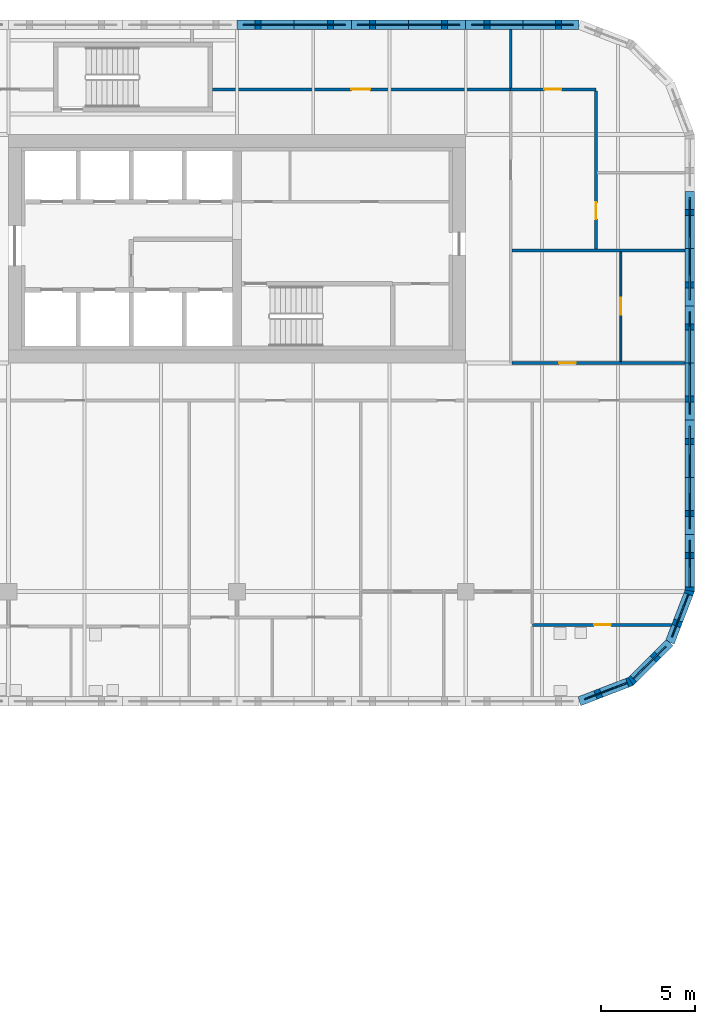
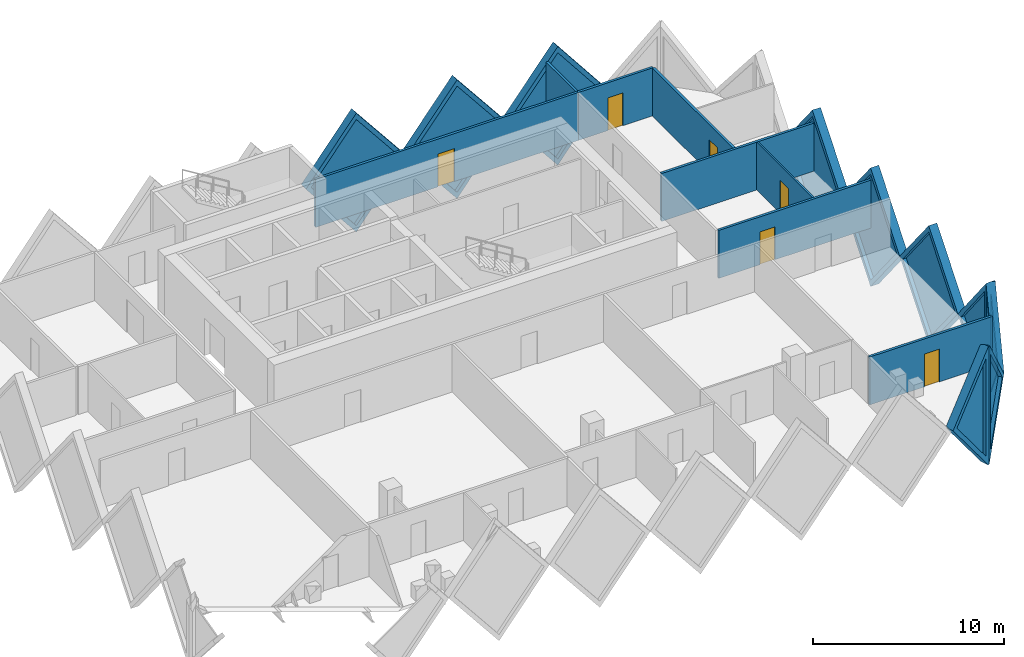
# One storey, part 15 of 20: 18 walls, 10 plates, 6 doors, 16 openings.
"""IFC4 building model written with IfcOpenShell, lengths in metres."""

from ifc_helpers import new_model, si_unit, direction, frame, frame_2d, origin, place, context, subcontext, project, spatial, polyline, rectangle, outline, extrude, faceted_brep, source, transform, mapped, material, layer, layer_set, type_object, element, fill, save


model = new_model("IFC4")

# Units and contexts
model_context = context("Model", 3, precision=1e-05, world=origin(), true_north=direction((0.0, 1.0)))
body_context = subcontext(model_context, "Body", "Model", "MODEL_VIEW")
ifc_project = project(units=[si_unit("LENGTHUNIT", "METRE"), si_unit("AREAUNIT", "SQUARE_METRE"), si_unit("VOLUMEUNIT", "CUBIC_METRE"), si_unit("PLANEANGLEUNIT", "RADIAN"), si_unit("MASSUNIT", "GRAM", prefix="KILO")], contexts=[model_context])

# Site, building, storey
site_placement = place(None, origin())
site = spatial("IfcSite", under=ifc_project, at=site_placement, CompositionType="ELEMENT")
building_placement = place(site_placement, origin())
building = spatial("IfcBuilding", under=site, at=building_placement, Name="Tessera Gate Towers", CompositionType="ELEMENT")
storey_placement = place(building_placement, frame((0.0, 0.0, 52.39990234375)))
storey = spatial("IfcBuildingStorey", under=building, at=storey_placement, Name="L12", CompositionType="ELEMENT", Elevation=52.39990234375)

# Wall, opening, door
ifc_material_1 = material(Name="Gypsum board on steel studs, mineral wool", Category="steel")
ifc_layer_1 = layer(ifc_material_1, 0.14990234375)
ifc_layer_set_1 = layer_set([ifc_layer_1], Name="CORRIDOR WALL 150")
wall_type_1 = type_object("IfcWallType", Name="CORRIDOR WALL 150", PredefinedType="PARTITIONING", material=ifc_layer_set_1)
wall_1_placement = place(storey_placement, frame((124.47607421875, 36.60009765625, 0.0), z_axis=(0.0, 0.0, 1.0), x_axis=(1.0, 0.0, 0.0)))
wall_1 = element("IfcWall", 1, at=wall_1_placement, inside=storey, type_object=wall_type_1, Name="T2-L12-PW-028", PredefinedType="PARTITIONING", context=body_context, shape_type="SweptSolid", body=[
    extrude(rectangle(XDim=9.223876953125, YDim=0.14990234375, at=frame_2d((4.61181640625, 0.0))), origin(), (0.0, 0.0, 1.0), 3.067138671875),
])
shared_shape_1 = source(origin(), body_context, "Body", "SweptSolid", [
    extrude(rectangle(XDim=0.89990234375, YDim=2.10009765625, at=frame_2d((0.449951171875, 1.050048828125))), frame((0.0, 0.0849609375, 0.0), z_axis=(0.0, -1.0, 0.0), x_axis=(1.0, 0.0, 0.0)), (0.0, 0.0, 1.0), 0.169921875),
])
opening_1_placement = place(wall_1_placement, frame((2.5, 0.0, 0.0)))
opening_1 = element("IfcOpeningElement", 2, at=opening_1_placement, cuts=wall_1, Name="Opening D890FD60-B05-03", PredefinedType="OPENING", context=body_context, shape_type="MappedRepresentation", body=[
    mapped(shared_shape_1, transform((0.0, 0.0, 0.0), scale=1.0)),
])
ifc_material_2 = material(Name="Timber door leaf in steel frame", Category="steel")
door_type_1 = type_object("IfcDoorType", Name="CORRIDOR DOOR 900 FD60", OperationType="NOTDEFINED", PredefinedType="DOOR", material=ifc_material_2)
shared_shape_2 = source(origin(), body_context, "Body", "SweptSolid", [
    extrude(rectangle(XDim=0.89990234375, YDim=2.10009765625, at=frame_2d((0.449951171875, 1.050048828125))), frame((0.0, 0.02490234375, 0.0), z_axis=(0.0, -1.0, 0.0), x_axis=(1.0, 0.0, 0.0)), (0.0, 0.0, 1.0), 0.050048828125),
])
door_1_placement = place(opening_1_placement, origin())
door_1 = element("IfcDoor", 3, at=door_1_placement, inside=storey, type_object=door_type_1, Name="T2-L12-PD-023", OperationType="SINGLE_SWING_LEFT", OverallHeight=2.10009765625, OverallWidth=0.89990234375, PredefinedType="DOOR", context=body_context, shape_type="MappedRepresentation", body=[
    mapped(shared_shape_2, transform((0.0, 0.0, 0.0), scale=1.0)),
])
fill(opening_1, door_1)

wall_2_placement = place(storey_placement, frame((108.5, 51.199951171875, 0.0), z_axis=(0.0, 0.0, 1.0), x_axis=(1.0, 0.0, 0.0)))
wall_2 = element("IfcWall", 4, at=wall_2_placement, inside=storey, type_object=wall_type_1, Name="T2-L12-PW-040", PredefinedType="PARTITIONING", context=body_context, shape_type="SweptSolid", body=[
    extrude(rectangle(XDim=15.89990234375, YDim=0.14990234375, at=frame_2d((7.949951171875, 0.0))), origin(), (0.0, 0.0, 1.0), 3.067138671875),
])
shared_shape_3 = source(origin(), body_context, "Body", "SweptSolid", [
    extrude(rectangle(XDim=1.0, YDim=2.10009765625, at=frame_2d((0.5, 1.050048828125))), frame((0.0, 0.0849609375, 0.0), z_axis=(0.0, -1.0, 0.0), x_axis=(1.0, 0.0, 0.0)), (0.0, 0.0, 1.0), 0.169921875),
])
opening_2_placement = place(wall_2_placement, frame((7.39990234375, 0.0, 0.0)))
opening_2 = element("IfcOpeningElement", 5, at=opening_2_placement, cuts=wall_2, Name="Opening D2100FD60-B05-07", PredefinedType="OPENING", context=body_context, shape_type="MappedRepresentation", body=[
    mapped(shared_shape_3, transform((0.0, 0.0, 0.0), scale=1.0)),
])
ifc_material_3 = material(Name="Timber door leaf in steel frame", Category="steel")
door_type_2 = type_object("IfcDoorType", Name="TENANCY ENTRANCE DOOR 1000 FD60", OperationType="NOTDEFINED", PredefinedType="DOOR", material=ifc_material_3)
shared_shape_4 = source(origin(), body_context, "Body", "SweptSolid", [
    extrude(rectangle(XDim=1.0, YDim=2.10009765625, at=frame_2d((0.5, 1.050048828125))), frame((0.0, 0.02490234375, 0.0), z_axis=(0.0, -1.0, 0.0), x_axis=(1.0, 0.0, 0.0)), (0.0, 0.0, 1.0), 0.050048828125),
])
door_2_placement = place(opening_2_placement, origin())
door_2 = element("IfcDoor", 6, at=door_2_placement, inside=storey, type_object=door_type_2, Name="T2-L12-PD-025", OperationType="SINGLE_SWING_LEFT", OverallHeight=2.10009765625, OverallWidth=1.0, PredefinedType="DOOR", context=body_context, shape_type="MappedRepresentation", body=[
    mapped(shared_shape_4, transform((0.0, 0.0, 0.0), scale=1.0)),
])
fill(opening_2, door_2)

ifc_material_4 = material(Name="Gypsum board on steel studs", Category="steel")
ifc_layer_2 = layer(ifc_material_4, 0.10009765625)
ifc_layer_set_2 = layer_set([ifc_layer_2], Name="PARTITION 100")
wall_type_2 = type_object("IfcWallType", Name="PARTITION 100", PredefinedType="PARTITIONING", material=ifc_layer_set_2)
wall_3_placement = place(storey_placement, frame((130.280029296875, 42.52392578125, 0.0), z_axis=(0.0, 0.0, 1.0), x_axis=(0.0, -1.0, 0.0)))
wall_3 = element("IfcWall", 7, at=wall_3_placement, inside=storey, type_object=wall_type_2, Name="T2-L12-PW-030", PredefinedType="PARTITIONING", context=body_context, shape_type="SweptSolid", body=[
    extrude(rectangle(XDim=5.847900390625, YDim=0.10009765625, at=frame_2d((2.923828125, 0.0))), origin(), (0.0, 0.0, 1.0), 3.067138671875),
])
shared_shape_5 = source(origin(), body_context, "Body", "SweptSolid", [
    extrude(rectangle(XDim=0.89990234375, YDim=2.10009765625, at=frame_2d((0.449951171875, 1.050048828125))), frame((0.0, 0.06005859375, 0.0), z_axis=(0.0, -1.0, 0.0), x_axis=(1.0, 0.0, 0.0)), (0.0, 0.0, 1.0), 0.1201171875),
])
opening_3_placement = place(wall_3_placement, frame((2.447998046875, 0.0, 0.0)))
opening_3 = element("IfcOpeningElement", 8, at=opening_3_placement, cuts=wall_3, Name="Opening D190-B05-07", PredefinedType="OPENING", context=body_context, shape_type="MappedRepresentation", body=[
    mapped(shared_shape_5, transform((0.0, 0.0, 0.0), scale=1.0)),
])
ifc_material_5 = material(Name="Timber door leaf in steel frame", Category="steel")
door_type_3 = type_object("IfcDoorType", Name="INTERNAL DOOR 900 NOT RATED", OperationType="NOTDEFINED", PredefinedType="DOOR", material=ifc_material_5)
door_3_placement = place(opening_3_placement, origin())
door_3 = element("IfcDoor", 9, at=door_3_placement, inside=storey, type_object=door_type_3, Name="T2-L12-PD-011", OperationType="SINGLE_SWING_RIGHT", OverallHeight=2.10009765625, OverallWidth=0.89990234375, PredefinedType="DOOR", context=body_context, shape_type="MappedRepresentation", body=[
    mapped(shared_shape_2, transform((0.0, 0.0, 0.0), scale=1.0)),
])
fill(opening_3, door_3)

ifc_material_6 = material(Name="Gypsum board on steel studs, mineral wool", Category="steel")
ifc_layer_3 = layer(ifc_material_6, 0.14990234375)
ifc_layer_set_3 = layer_set([ifc_layer_3], Name="TENANCY WALL 150")
wall_type_3 = type_object("IfcWallType", Name="TENANCY WALL 150", PredefinedType="PARTITIONING", material=ifc_layer_set_3)
wall_4_placement = place(storey_placement, frame((132.9794921875, 22.625, 0.0), z_axis=(0.0, 0.0, 1.0), x_axis=(-1.0, 0.0, 0.0)))
wall_4 = element("IfcWall", 10, at=wall_4_placement, inside=storey, type_object=wall_type_3, Name="T2-L12-PW-012", PredefinedType="PARTITIONING", context=body_context, shape_type="SweptSolid", body=[
    extrude(rectangle(XDim=7.429443359375, YDim=0.14990234375, at=frame_2d((3.71484375, 0.0))), origin(), (0.0, 0.0, 1.0), 3.067138671875),
])
opening_4_placement = place(wall_4_placement, frame((3.2294921875, 0.0, 0.0)))
opening_4 = element("IfcOpeningElement", 11, at=opening_4_placement, cuts=wall_4, Name="Opening D190-B05-09", PredefinedType="OPENING", context=body_context, shape_type="MappedRepresentation", body=[
    mapped(shared_shape_1, transform((0.0, 0.0, 0.0), scale=1.0)),
])
door_4_placement = place(opening_4_placement, origin())
door_4 = element("IfcDoor", 12, at=door_4_placement, inside=storey, type_object=door_type_3, Name="T2-L12-PD-013", OperationType="SINGLE_SWING_RIGHT", OverallHeight=2.10009765625, OverallWidth=0.89990234375, PredefinedType="DOOR", context=body_context, shape_type="MappedRepresentation", body=[
    mapped(shared_shape_2, transform((0.0, 0.0, 0.0), scale=1.0)),
])
fill(opening_4, door_4)

# Wall
wall_5_placement = place(storey_placement, frame((124.47607421875, 42.60009765625, 0.0), z_axis=(0.0, 0.0, 1.0), x_axis=(1.0, 0.0, 0.0)))
element("IfcWall", 13, at=wall_5_placement, inside=storey, type_object=wall_type_3, Name="T2-L12-PW-034", PredefinedType="PARTITIONING", context=body_context, shape_type="SweptSolid", body=[
    extrude(rectangle(XDim=9.223876953125, YDim=0.14990234375, at=frame_2d((4.61181640625, 0.0))), origin(), (0.0, 0.0, 1.0), 3.067138671875),
])

# Wall, opening, door
wall_6_placement = place(storey_placement, frame((128.949951171875, 51.1240234375, 0.0), z_axis=(0.0, 0.0, 1.0), x_axis=(0.0, -1.0, 0.0)))
wall_6 = element("IfcWall", 14, at=wall_6_placement, inside=storey, type_object=wall_type_3, Name="T2-L12-PW-035", PredefinedType="PARTITIONING", context=body_context, shape_type="SweptSolid", body=[
    extrude(rectangle(XDim=8.447998046875, YDim=0.14990234375, at=frame_2d((4.22412109375, 0.0))), origin(), (0.0, 0.0, 1.0), 3.067138671875),
])
opening_5_placement = place(wall_6_placement, frame((5.947998046875, 0.0, 0.0)))
opening_5 = element("IfcOpeningElement", 15, at=opening_5_placement, cuts=wall_6, Name="Opening D190-B05-02", PredefinedType="OPENING", context=body_context, shape_type="MappedRepresentation", body=[
    mapped(shared_shape_1, transform((0.0, 0.0, 0.0), scale=1.0)),
])
door_5_placement = place(opening_5_placement, origin())
door_5 = element("IfcDoor", 16, at=door_5_placement, inside=storey, type_object=door_type_3, Name="T2-L12-PD-003", OperationType="SINGLE_SWING_RIGHT", OverallHeight=2.10009765625, OverallWidth=0.89990234375, PredefinedType="DOOR", context=body_context, shape_type="MappedRepresentation", body=[
    mapped(shared_shape_2, transform((0.0, 0.0, 0.0), scale=1.0)),
])
fill(opening_5, door_5)

wall_7_placement = place(storey_placement, frame((124.40087890625, 51.199951171875, 0.0), z_axis=(0.0, 0.0, 1.0), x_axis=(1.0, 0.0, 0.0)))
wall_7 = element("IfcWall", 17, at=wall_7_placement, inside=storey, type_object=wall_type_3, Name="T2-L12-PW-041", PredefinedType="PARTITIONING", context=body_context, shape_type="SweptSolid", body=[
    extrude(rectangle(XDim=4.549072265625, YDim=0.14990234375, at=frame_2d((2.2744140625, 0.0))), origin(), (0.0, 0.0, 1.0), 3.067138671875),
])
opening_6_placement = place(wall_7_placement, frame((1.800048828125, 0.0, 0.0)))
opening_6 = element("IfcOpeningElement", 18, at=opening_6_placement, cuts=wall_7, Name="Opening D190-B05-11", PredefinedType="OPENING", context=body_context, shape_type="MappedRepresentation", body=[
    mapped(shared_shape_1, transform((0.0, 0.0, 0.0), scale=1.0)),
])
door_6_placement = place(opening_6_placement, origin())
door_6 = element("IfcDoor", 19, at=door_6_placement, inside=storey, type_object=door_type_3, Name="T2-L12-PD-018", OperationType="SINGLE_SWING_LEFT", OverallHeight=2.10009765625, OverallWidth=0.89990234375, PredefinedType="DOOR", context=body_context, shape_type="MappedRepresentation", body=[
    mapped(shared_shape_2, transform((0.0, 0.0, 0.0), scale=1.0)),
])
fill(opening_6, door_6)

# Wall
wall_8_placement = place(storey_placement, frame((124.39990234375, 51.27587890625, 0.0), z_axis=(0.0, 0.0, 1.0), x_axis=(0.0, 1.0, 0.0)))
element("IfcWall", 20, at=wall_8_placement, inside=storey, type_object=wall_type_3, Name="T2-L12-PW-042", PredefinedType="PARTITIONING", context=body_context, shape_type="SweptSolid", body=[
    extrude(rectangle(XDim=3.1240234375, YDim=0.14990234375, at=frame_2d((1.56201171875, 0.0))), origin(), (0.0, 0.0, 1.0), 3.067138671875),
])

# Wall, opening, plate
ifc_material_7 = material(Name="Precast concrete C60/75 white", Category="concrete")
ifc_layer_4 = layer(ifc_material_7, 0.5)
ifc_layer_set_4 = layer_set([ifc_layer_4], Name="TS3 corner tessera")
wall_type_4 = type_object("IfcWallType", Name="TS3 corner tessera", PredefinedType="SOLIDWALL", material=ifc_layer_set_4)
shared_shape_6 = source(origin(), body_context, "Body", "Brep", [
    faceted_brep([(0.046630859375, -0.25, 0.0), (3.050048828125, -0.25, 3.7998046875), (0.046630859375, -0.25, 7.599853515625), (0.0, -0.25, 7.539794921875), (0.0, -0.25, 0.06005859375), (0.09326171875, 0.25, 7.541015625), (3.050048828125, 0.25, 3.7998046875), (0.09326171875, 0.25, 0.058837890625), (0.046630859375, 0.0, 0.0), (0.046630859375, 0.0, 7.599853515625)], [[[0, 1, 2, 3, 4]], [[5, 6, 7]], [[7, 6, 1, 0, 8]], [[6, 5, 9, 2, 1]], [[3, 2, 9]], [[8, 0, 4]], [[7, 8, 4, 3, 9, 5]]]),
])
wall_9_placement = place(storey_placement, frame((133.949951171875, 24.39990234375, -3.7998046875), z_axis=(0.0, 0.0, 1.0), x_axis=(0.0, 1.0, 0.0)))
wall_9 = element("IfcWall", 21, at=wall_9_placement, inside=storey, type_object=wall_type_4, Name="Precast corner tessera T2 TS3-0164", PredefinedType="SOLIDWALL", context=body_context, shape_type="MappedRepresentation", body=[
    mapped(shared_shape_6, transform((0.0, 0.0, 0.0), scale=1.0)),
])
shared_shape_7 = source(origin(), body_context, "Body", "SweptSolid", [
    extrude(outline(polyline([(0.24658203125, 0.656005859375), (2.7314453125, 3.7998046875), (0.24658203125, 6.943603515625), (0.24658203125, 0.656005859375)])), frame((0.0, 0.260009765625, 0.0), z_axis=(0.0, -1.0, 0.0), x_axis=(1.0, 0.0, 0.0)), (0.0, 0.0, 1.0), 0.52001953125),
])
opening_7_placement = place(wall_9_placement, origin())
opening_7 = element("IfcOpeningElement", 22, at=opening_7_placement, cuts=wall_9, Name="Opening T2-PL2-0247", PredefinedType="OPENING", context=body_context, shape_type="MappedRepresentation", body=[
    mapped(shared_shape_7, transform((0.0, 0.0, 0.0), scale=1.0)),
])
ifc_material_8 = material(Name="Low-e laminated glass", Category="glass")
ifc_layer_5 = layer(ifc_material_8, 0.06005859375)
ifc_layer_set_5 = layer_set([ifc_layer_5], Name="PL2 rhombic pane")
plate_type = type_object("IfcPlateType", Name="PL2 rhombic pane", PredefinedType="SHEET", material=ifc_layer_set_5)
shared_shape_8 = source(origin(), body_context, "Body", "SweptSolid", [
    extrude(outline(polyline([(0.24658203125, 0.656005859375), (2.7314453125, 3.7998046875), (0.24658203125, 6.943603515625), (0.24658203125, 0.656005859375)])), frame((0.0, 0.030029296875, 0.0), z_axis=(0.0, -1.0, 0.0), x_axis=(1.0, 0.0, 0.0)), (0.0, 0.0, 1.0), 0.06005859375),
])
plate_1_placement = place(opening_7_placement, origin())
plate_1 = element("IfcPlate", 23, at=plate_1_placement, inside=storey, type_object=plate_type, Name="Glass pane T2 PL2-0247", PredefinedType="SHEET", context=body_context, shape_type="MappedRepresentation", body=[
    mapped(shared_shape_8, transform((0.0, 0.0, 0.0), scale=1.0)),
])
fill(opening_7, plate_1)

ifc_material_9 = material(Name="Precast concrete C60/75 white", Category="concrete")
ifc_layer_6 = layer(ifc_material_9, 0.5)
ifc_layer_set_6 = layer_set([ifc_layer_6], Name="TS1 tessera")
wall_type_5 = type_object("IfcWallType", Name="TS1 tessera", PredefinedType="SOLIDWALL", material=ifc_layer_set_6)
shared_shape_9 = source(origin(), body_context, "Body", "Brep", [
    faceted_brep([(3.050048828125, -0.25, 0.0), (6.099853515625, -0.25, 3.799560546875), (6.099853515625, -0.25, 3.800048828125), (3.050048828125, -0.25, 7.599853515625), (0.0, -0.25, 3.7998046875), (0.0, 0.25, 3.7998046875), (3.050048828125, 0.25, 7.599853515625), (6.099853515625, 0.25, 3.800048828125), (6.099853515625, 0.25, 3.799560546875), (3.050048828125, 0.25, 0.0)], [[[0, 1, 2, 3, 4]], [[5, 6, 7, 8, 9]], [[9, 8, 1, 0]], [[7, 6, 3, 2]], [[6, 5, 4, 3]], [[5, 9, 0, 4]], [[1, 8, 7, 2]]]),
])
wall_10_placement = place(storey_placement, frame((133.949951171875, 33.550048828125, -3.7998046875), z_axis=(0.0, 0.0, 1.0), x_axis=(0.0, 1.0, 0.0)))
wall_10 = element("IfcWall", 24, at=wall_10_placement, inside=storey, type_object=wall_type_5, Name="Precast tessera T2 TS1-0133", PredefinedType="SOLIDWALL", context=body_context, shape_type="MappedRepresentation", body=[
    mapped(shared_shape_9, transform((0.0, 0.0, 0.0), scale=1.0)),
])
shared_shape_10 = source(origin(), body_context, "Body", "SweptSolid", [
    extrude(outline(polyline([(3.050048828125, 0.3994140625), (5.779541015625, 3.7998046875), (3.050048828125, 7.200439453125), (0.320556640625, 3.7998046875), (3.050048828125, 0.3994140625)])), frame((0.0, 0.260009765625, 0.0), z_axis=(0.0, -1.0, 0.0), x_axis=(1.0, 0.0, 0.0)), (0.0, 0.0, 1.0), 0.52001953125),
])
opening_8_placement = place(wall_10_placement, origin())
opening_8 = element("IfcOpeningElement", 25, at=opening_8_placement, cuts=wall_10, Name="Opening T2-PL2-0249", PredefinedType="OPENING", context=body_context, shape_type="MappedRepresentation", body=[
    mapped(shared_shape_10, transform((0.0, 0.0, 0.0), scale=1.0)),
])
shared_shape_11 = source(origin(), body_context, "Body", "SweptSolid", [
    extrude(outline(polyline([(3.050048828125, 0.3994140625), (5.779541015625, 3.7998046875), (3.050048828125, 7.200439453125), (0.320556640625, 3.7998046875), (3.050048828125, 0.3994140625)])), frame((0.0, 0.030029296875, 0.0), z_axis=(0.0, -1.0, 0.0), x_axis=(1.0, 0.0, 0.0)), (0.0, 0.0, 1.0), 0.06005859375),
])
plate_2_placement = place(opening_8_placement, origin())
plate_2 = element("IfcPlate", 26, at=plate_2_placement, inside=storey, type_object=plate_type, Name="Glass pane T2 PL2-0249", PredefinedType="SHEET", context=body_context, shape_type="MappedRepresentation", body=[
    mapped(shared_shape_11, transform((0.0, 0.0, 0.0), scale=1.0)),
])
fill(opening_8, plate_2)

wall_11_placement = place(storey_placement, frame((115.89990234375, 54.64990234375, -3.7998046875), z_axis=(0.0, 0.0, 1.0), x_axis=(-1.0, 0.0, 0.0)))
wall_11 = element("IfcWall", 27, at=wall_11_placement, inside=storey, type_object=wall_type_5, Name="Precast tessera T2 TS1-0137", PredefinedType="SOLIDWALL", context=body_context, shape_type="MappedRepresentation", body=[
    mapped(shared_shape_9, transform((0.0, 0.0, 0.0), scale=1.0)),
])
opening_9_placement = place(wall_11_placement, origin())
opening_9 = element("IfcOpeningElement", 28, at=opening_9_placement, cuts=wall_11, Name="Opening T2-PL2-0257", PredefinedType="OPENING", context=body_context, shape_type="MappedRepresentation", body=[
    mapped(shared_shape_10, transform((0.0, 0.0, 0.0), scale=1.0)),
])
plate_3_placement = place(opening_9_placement, origin())
plate_3 = element("IfcPlate", 29, at=plate_3_placement, inside=storey, type_object=plate_type, Name="Glass pane T2 PL2-0257", PredefinedType="SHEET", context=body_context, shape_type="MappedRepresentation", body=[
    mapped(shared_shape_11, transform((0.0, 0.0, 0.0), scale=1.0)),
])
fill(opening_9, plate_3)

shared_shape_12 = source(origin(), body_context, "Body", "SweptSolid", [
    extrude(outline(polyline([(3.050048828125, 0.0), (6.10009765625, 3.7998046875), (3.050048828125, 7.599853515625), (0.0, 3.7998046875), (3.050048828125, 0.0)])), frame((0.0, 0.25, 0.0), z_axis=(0.0, -1.0, 0.0), x_axis=(1.0, 0.0, 0.0)), (0.0, 0.0, 1.0), 0.5),
])
wall_12_placement = place(storey_placement, frame((133.949951171875, 27.449951171875, -3.7998046875), z_axis=(0.0, 0.0, 1.0), x_axis=(0.0, 1.0, 0.0)))
wall_12 = element("IfcWall", 30, at=wall_12_placement, inside=storey, type_object=wall_type_5, Name="Precast tessera T2 TS1-0132", PredefinedType="SOLIDWALL", context=body_context, shape_type="MappedRepresentation", body=[
    mapped(shared_shape_12, transform((0.0, 0.0, 0.0), scale=1.0)),
])
opening_10_placement = place(wall_12_placement, origin())
opening_10 = element("IfcOpeningElement", 31, at=opening_10_placement, cuts=wall_12, Name="Opening T2-PL2-0248", PredefinedType="OPENING", context=body_context, shape_type="MappedRepresentation", body=[
    mapped(shared_shape_10, transform((0.0, 0.0, 0.0), scale=1.0)),
])
plate_4_placement = place(opening_10_placement, origin())
plate_4 = element("IfcPlate", 32, at=plate_4_placement, inside=storey, type_object=plate_type, Name="Glass pane T2 PL2-0248", PredefinedType="SHEET", context=body_context, shape_type="MappedRepresentation", body=[
    mapped(shared_shape_11, transform((0.0, 0.0, 0.0), scale=1.0)),
])
fill(opening_10, plate_4)

wall_13_placement = place(storey_placement, frame((133.949951171875, 39.64990234375, -3.7998046875), z_axis=(0.0, 0.0, 1.0), x_axis=(0.0, 1.0, 0.0)))
wall_13 = element("IfcWall", 33, at=wall_13_placement, inside=storey, type_object=wall_type_5, Name="Precast tessera T2 TS1-0134", PredefinedType="SOLIDWALL", context=body_context, shape_type="MappedRepresentation", body=[
    mapped(shared_shape_12, transform((0.0, 0.0, 0.0), scale=1.0)),
])
opening_11_placement = place(wall_13_placement, origin())
opening_11 = element("IfcOpeningElement", 34, at=opening_11_placement, cuts=wall_13, Name="Opening T2-PL2-0250", PredefinedType="OPENING", context=body_context, shape_type="MappedRepresentation", body=[
    mapped(shared_shape_10, transform((0.0, 0.0, 0.0), scale=1.0)),
])
plate_5_placement = place(opening_11_placement, origin())
plate_5 = element("IfcPlate", 35, at=plate_5_placement, inside=storey, type_object=plate_type, Name="Glass pane T2 PL2-0250", PredefinedType="SHEET", context=body_context, shape_type="MappedRepresentation", body=[
    mapped(shared_shape_11, transform((0.0, 0.0, 0.0), scale=1.0)),
])
fill(opening_11, plate_5)

wall_14_placement = place(storey_placement, frame((122.0, 54.64990234375, -3.7998046875), z_axis=(0.0, 0.0, 1.0), x_axis=(-1.0, 0.0, 0.0)))
wall_14 = element("IfcWall", 36, at=wall_14_placement, inside=storey, type_object=wall_type_5, Name="Precast tessera T2 TS1-0136", PredefinedType="SOLIDWALL", context=body_context, shape_type="MappedRepresentation", body=[
    mapped(shared_shape_12, transform((0.0, 0.0, 0.0), scale=1.0)),
])
opening_12_placement = place(wall_14_placement, origin())
opening_12 = element("IfcOpeningElement", 37, at=opening_12_placement, cuts=wall_14, Name="Opening T2-PL2-0256", PredefinedType="OPENING", context=body_context, shape_type="MappedRepresentation", body=[
    mapped(shared_shape_10, transform((0.0, 0.0, 0.0), scale=1.0)),
])
plate_6_placement = place(opening_12_placement, origin())
plate_6 = element("IfcPlate", 38, at=plate_6_placement, inside=storey, type_object=plate_type, Name="Glass pane T2 PL2-0256", PredefinedType="SHEET", context=body_context, shape_type="MappedRepresentation", body=[
    mapped(shared_shape_11, transform((0.0, 0.0, 0.0), scale=1.0)),
])
fill(opening_12, plate_6)

shared_shape_13 = source(origin(), body_context, "Body", "Brep", [
    faceted_brep([(3.00341796875, -0.25, 0.0), (6.053466796875, -0.25, 3.7998046875), (3.00341796875, -0.25, 7.599853515625), (0.0, -0.25, 3.7998046875), (0.046630859375, 0.25, 3.858642578125), (3.00341796875, 0.25, 7.599853515625), (6.053466796875, 0.25, 3.7998046875), (3.00341796875, 0.25, 0.0), (0.046630859375, 0.25, 3.740966796875), (0.0, 0.0, 3.7998046875)], [[[0, 1, 2, 3]], [[4, 5, 6, 7, 8]], [[7, 6, 1, 0]], [[6, 5, 2, 1]], [[5, 4, 9, 3, 2]], [[8, 7, 0, 3, 9]], [[8, 9, 4]]]),
])
wall_15_placement = place(storey_placement, frame((128.053466796875, 54.64990234375, -3.7998046875), z_axis=(0.0, 0.0, 1.0), x_axis=(-1.0, 0.0, 0.0)))
wall_15 = element("IfcWall", 39, at=wall_15_placement, inside=storey, type_object=wall_type_5, Name="Precast tessera T2 TS1-0135", PredefinedType="SOLIDWALL", context=body_context, shape_type="MappedRepresentation", body=[
    mapped(shared_shape_13, transform((0.0, 0.0, 0.0), scale=1.0)),
])
shared_shape_14 = source(origin(), body_context, "Body", "SweptSolid", [
    extrude(outline(polyline([(3.0048828125, 0.401123046875), (5.73291015625, 3.7998046875), (3.0048828125, 7.19873046875), (0.318603515625, 3.7998046875), (3.0048828125, 0.401123046875)])), frame((0.0, 0.260009765625, 0.0), z_axis=(0.0, -1.0, 0.0), x_axis=(1.0, 0.0, 0.0)), (0.0, 0.0, 1.0), 0.52001953125),
])
opening_13_placement = place(wall_15_placement, origin())
opening_13 = element("IfcOpeningElement", 40, at=opening_13_placement, cuts=wall_15, Name="Opening T2-PL2-0255", PredefinedType="OPENING", context=body_context, shape_type="MappedRepresentation", body=[
    mapped(shared_shape_14, transform((0.0, 0.0, 0.0), scale=1.0)),
])
shared_shape_15 = source(origin(), body_context, "Body", "SweptSolid", [
    extrude(outline(polyline([(3.0048828125, 0.401123046875), (5.73291015625, 3.7998046875), (3.0048828125, 7.19873046875), (0.318603515625, 3.7998046875), (3.0048828125, 0.401123046875)])), frame((0.0, 0.030029296875, 0.0), z_axis=(0.0, -1.0, 0.0), x_axis=(1.0, 0.0, 0.0)), (0.0, 0.0, 1.0), 0.06005859375),
])
plate_7_placement = place(opening_13_placement, origin())
plate_7 = element("IfcPlate", 41, at=plate_7_placement, inside=storey, type_object=plate_type, Name="Glass pane T2 PL2-0255", PredefinedType="SHEET", context=body_context, shape_type="MappedRepresentation", body=[
    mapped(shared_shape_15, transform((0.0, 0.0, 0.0), scale=1.0)),
])
fill(opening_13, plate_7)

shared_shape_16 = source(origin(), body_context, "Body", "Brep", [
    faceted_brep([(2.950439453125, -0.25, 0.0), (2.9970703125, -0.25, 0.05908203125), (2.9970703125, -0.25, 7.540771484375), (2.950439453125, -0.25, 7.599853515625), (0.0, -0.25, 3.7998046875), (0.052978515625, 0.25, 3.867919921875), (2.904052734375, 0.25, 7.5400390625), (2.904052734375, 0.25, 0.059814453125), (0.052978515625, 0.25, 3.731689453125), (2.950439453125, 0.00048828125, 0.0), (2.950439453125, 0.00048828125, 7.599853515625), (0.0, 0.0, 3.7998046875)], [[[0, 1, 2, 3, 4]], [[5, 6, 7, 8]], [[1, 0, 9]], [[10, 3, 2]], [[6, 5, 11, 4, 3, 10]], [[8, 7, 9, 0, 4, 11]], [[8, 11, 5]], [[1, 9, 7, 6, 10, 2]]]),
])
wall_16_placement = place(storey_placement, frame((132.88818359375, 21.69384765625, -3.7998046875), z_axis=(0.0, 0.0, 1.0), x_axis=(0.359901446078, 0.932990326376, 0.0)))
wall_16 = element("IfcWall", 42, at=wall_16_placement, inside=storey, type_object=wall_type_4, Name="Precast corner tessera T2 TS3-0163", PredefinedType="SOLIDWALL", context=body_context, shape_type="MappedRepresentation", body=[
    mapped(shared_shape_16, transform((0.0, 0.0, 0.0), scale=1.0)),
])
shared_shape_17 = source(origin(), body_context, "Body", "SweptSolid", [
    extrude(outline(polyline([(2.75048828125, 6.9345703125), (0.31640625, 3.7998046875), (2.75048828125, 0.6650390625), (2.75048828125, 6.9345703125)])), frame((0.0, 0.260009765625, 0.0), z_axis=(0.0, -1.0, 0.0), x_axis=(1.0, 0.0, 0.0)), (0.0, 0.0, 1.0), 0.52001953125),
])
opening_14_placement = place(wall_16_placement, origin())
opening_14 = element("IfcOpeningElement", 43, at=opening_14_placement, cuts=wall_16, Name="Opening T2-PL2-0246", PredefinedType="OPENING", context=body_context, shape_type="MappedRepresentation", body=[
    mapped(shared_shape_17, transform((0.0, 0.0, 0.0), scale=1.0)),
])
shared_shape_18 = source(origin(), body_context, "Body", "SweptSolid", [
    extrude(outline(polyline([(2.75048828125, 6.9345703125), (0.31640625, 3.7998046875), (2.75048828125, 0.6650390625), (2.75048828125, 6.9345703125)])), frame((0.0, 0.030029296875, 0.0), z_axis=(0.0, -1.0, 0.0), x_axis=(1.0, 0.0, 0.0)), (0.0, 0.0, 1.0), 0.06005859375),
])
plate_8_placement = place(opening_14_placement, origin())
plate_8 = element("IfcPlate", 44, at=plate_8_placement, inside=storey, type_object=plate_type, Name="Glass pane T2 PL2-0246", PredefinedType="SHEET", context=body_context, shape_type="MappedRepresentation", body=[
    mapped(shared_shape_18, transform((0.0, 0.0, 0.0), scale=1.0)),
])
fill(opening_14, plate_8)

shared_shape_19 = source(origin(), body_context, "Body", "Brep", [
    faceted_brep([(2.950439453125, -0.25, 0.0), (3.00341796875, -0.25, 0.068359375), (3.00341796875, -0.25, 7.531494140625), (2.950439453125, -0.25, 7.599853515625), (0.0, -0.25, 3.7998046875), (0.046630859375, 0.25, 3.85986328125), (2.897705078125, 0.25, 7.53173828125), (2.897705078125, 0.25, 0.068115234375), (0.046630859375, 0.25, 3.73974609375), (2.950439453125, 0.00048828125, 0.0), (2.950439453125, 0.00048828125, 7.599853515625), (0.0, 0.0, 3.7998046875)], [[[0, 1, 2, 3, 4]], [[5, 6, 7, 8]], [[1, 0, 9]], [[10, 3, 2]], [[6, 5, 11, 4, 3, 10]], [[8, 7, 9, 0, 4, 11]], [[8, 11, 5]], [[1, 9, 7, 6, 10, 2]]]),
])
wall_17_placement = place(storey_placement, frame((128.053466796875, 18.550048828125, -3.7998046875), z_axis=(0.0, 0.0, 1.0), x_axis=(0.933007896601, 0.359855894603, 0.0)))
wall_17 = element("IfcWall", 45, at=wall_17_placement, inside=storey, type_object=wall_type_4, Name="Precast corner tessera T2 TS3-0161", PredefinedType="SOLIDWALL", context=body_context, shape_type="MappedRepresentation", body=[
    mapped(shared_shape_19, transform((0.0, 0.0, 0.0), scale=1.0)),
])
opening_15_placement = place(wall_17_placement, origin())
opening_15 = element("IfcOpeningElement", 46, at=opening_15_placement, cuts=wall_17, Name="Opening T2-PL2-0244", PredefinedType="OPENING", context=body_context, shape_type="MappedRepresentation", body=[
    mapped(shared_shape_17, transform((0.0, 0.0, 0.0), scale=1.0)),
])
plate_9_placement = place(opening_15_placement, origin())
plate_9 = element("IfcPlate", 47, at=plate_9_placement, inside=storey, type_object=plate_type, Name="Glass pane T2 PL2-0244", PredefinedType="SHEET", context=body_context, shape_type="MappedRepresentation", body=[
    mapped(shared_shape_18, transform((0.0, 0.0, 0.0), scale=1.0)),
])
fill(opening_15, plate_9)

shared_shape_20 = source(origin(), body_context, "Body", "Brep", [
    faceted_brep([(0.052978515625, -0.25, 0.0), (2.9970703125, -0.25, 3.7998046875), (0.052978515625, -0.25, 7.599853515625), (0.0, -0.25, 7.53173828125), (0.0, -0.25, 0.068115234375), (0.10595703125, 0.25, 7.531494140625), (2.944091796875, 0.25, 3.867919921875), (2.944091796875, 0.25, 3.731689453125), (0.10595703125, 0.25, 0.068359375), (2.9970703125, 0.000244140625, 3.7998046875), (0.052978515625, 0.0, 0.0), (0.052978515625, 0.0, 7.599853515625)], [[[0, 1, 2, 3, 4]], [[5, 6, 7, 8]], [[8, 7, 9, 1, 0, 10]], [[6, 5, 11, 2, 1, 9]], [[3, 2, 11]], [[10, 0, 4]], [[8, 10, 4, 3, 11, 5]], [[9, 7, 6]]]),
])
wall_18_placement = place(storey_placement, frame((130.768798828125, 19.574462890625, -3.7998046875), z_axis=(0.0, 0.0, 1.0), x_axis=(0.707106781187, 0.707106781187, 0.0)))
wall_18 = element("IfcWall", 48, at=wall_18_placement, inside=storey, type_object=wall_type_4, Name="Precast corner tessera T2 TS3-0162", PredefinedType="SOLIDWALL", context=body_context, shape_type="MappedRepresentation", body=[
    mapped(shared_shape_20, transform((0.0, 0.0, 0.0), scale=1.0)),
])
shared_shape_21 = source(origin(), body_context, "Body", "SweptSolid", [
    extrude(outline(polyline([(0.2529296875, 0.666259765625), (2.680908203125, 3.7998046875), (0.2529296875, 6.93359375), (0.2529296875, 0.666259765625)])), frame((0.0, 0.260009765625, 0.0), z_axis=(0.0, -1.0, 0.0), x_axis=(1.0, 0.0, 0.0)), (0.0, 0.0, 1.0), 0.52001953125),
])
opening_16_placement = place(wall_18_placement, origin())
opening_16 = element("IfcOpeningElement", 49, at=opening_16_placement, cuts=wall_18, Name="Opening T2-PL2-0245", PredefinedType="OPENING", context=body_context, shape_type="MappedRepresentation", body=[
    mapped(shared_shape_21, transform((0.0, 0.0, 0.0), scale=1.0)),
])
shared_shape_22 = source(origin(), body_context, "Body", "SweptSolid", [
    extrude(outline(polyline([(0.2529296875, 0.666259765625), (2.680908203125, 3.7998046875), (0.2529296875, 6.93359375), (0.2529296875, 0.666259765625)])), frame((0.0, 0.030029296875, 0.0), z_axis=(0.0, -1.0, 0.0), x_axis=(1.0, 0.0, 0.0)), (0.0, 0.0, 1.0), 0.06005859375),
])
plate_10_placement = place(opening_16_placement, origin())
plate_10 = element("IfcPlate", 50, at=plate_10_placement, inside=storey, type_object=plate_type, Name="Glass pane T2 PL2-0245", PredefinedType="SHEET", context=body_context, shape_type="MappedRepresentation", body=[
    mapped(shared_shape_22, transform((0.0, 0.0, 0.0), scale=1.0)),
])
fill(opening_16, plate_10)

save(model, "model.ifc")
